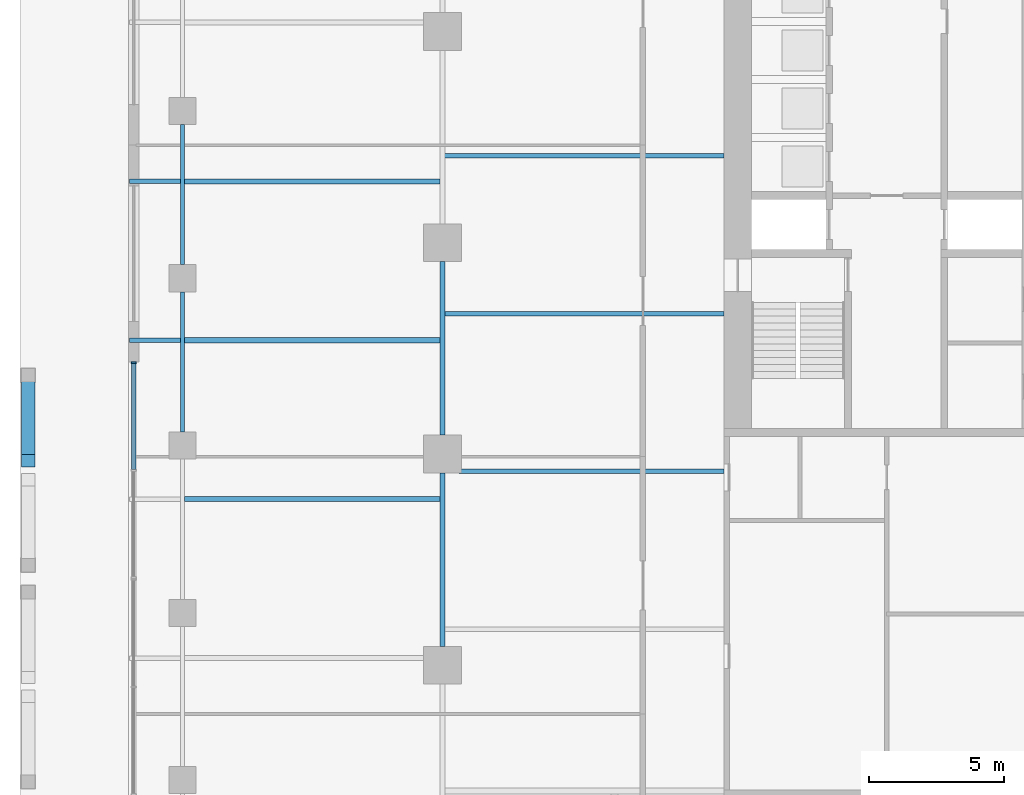
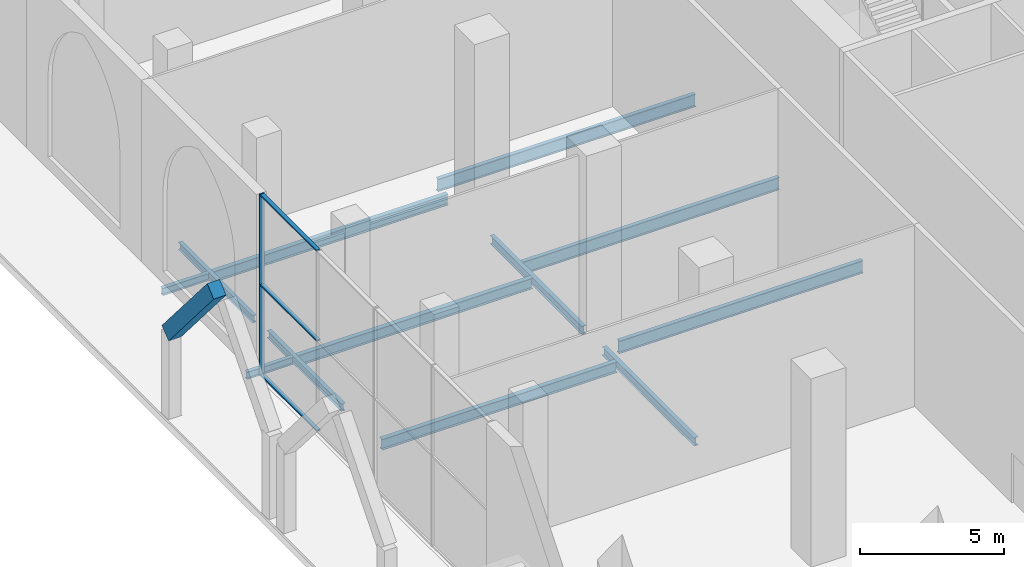
# One storey, part 18 of 38: 12 beams, 5 members, 1 element without a shape of its own.
"""IFC4 building model written with IfcOpenShell, lengths in metres."""

from ifc_helpers import new_model, si_unit, direction, frame, origin, origin_2d, place, context, subcontext, project, spatial, rectangle, i_section, extrude, material, material_profile, profile_set, type_object, element, aggregate, save


model = new_model("IFC4")

# Units and contexts
model_context = context("Model", 3, precision=1e-05, world=origin(), true_north=direction((0.0, 1.0)))
body_context = subcontext(model_context, "Body", "Model", "MODEL_VIEW")
ifc_project = project(units=[si_unit("LENGTHUNIT", "METRE"), si_unit("AREAUNIT", "SQUARE_METRE"), si_unit("VOLUMEUNIT", "CUBIC_METRE"), si_unit("PLANEANGLEUNIT", "RADIAN"), si_unit("MASSUNIT", "GRAM", prefix="KILO")], contexts=[model_context])

# Site, building, storey
site_placement = place(None, origin())
site = spatial("IfcSite", under=ifc_project, at=site_placement, CompositionType="ELEMENT")
building_placement = place(site_placement, origin())
building = spatial("IfcBuilding", under=site, at=building_placement, Name="Ogive Exchange Tower", CompositionType="ELEMENT")
storey_placement = place(building_placement, origin())
storey = spatial("IfcBuildingStorey", under=building, at=storey_placement, Name="L00", CompositionType="ELEMENT", Elevation=0.0)

# Member
ifc_material_1 = material(Name="Concrete C70/85", Category="concrete")
ifc_material_profile_1 = material_profile(ifc_material_1, rectangle(XDim=0.5, YDim=0.60009765625, at=origin_2d()), Name="PC 500x600")
ifc_profile_set_1 = profile_set([ifc_material_profile_1], Name="Concrete C70/85")
member_type_1 = type_object("IfcMemberType", Name="Arch rib 500x600", PredefinedType="USERDEFINED", material=ifc_profile_set_1)
member_1_placement = place(storey_placement, frame((-47.699951171875, -0.5, 3.5), z_axis=(0.0, -0.64925670005, 0.760569350842), x_axis=(1.0, 0.0, 0.0)))
element("IfcMember", 1, at=member_1_placement, inside=storey, type_object=member_type_1, Name="Arch rib", ObjectType="ARCH RIB", PredefinedType="USERDEFINED", context=body_context, shape_type="SweptSolid", body=[
    extrude(rectangle(XDim=0.5, YDim=0.60009765625, at=origin_2d()), origin(), (0.0, 0.0, 1.0), 4.8515625),
])

# Beams
ifc_material_2 = material(Name="Steel ASTM A992 Gr50", Category="steel")
ifc_material_profile_2 = material_profile(ifc_material_2, i_section(OverallWidth=0.1650390625, OverallDepth=0.31005859375, WebThickness=0.005859375, FlangeThickness=0.009765625, at=origin_2d()), Name="W310x38.7")
ifc_profile_set_2 = profile_set([ifc_material_profile_2], Name="Steel ASTM A992 Gr50")
beam_type_1 = type_object("IfcBeamType", Name="Floor beam W310x38.7", PredefinedType="JOIST", material=ifc_profile_set_2)
for number, where, z_axis, x_axis, name in (
    (2, (-43.949951171875, 0.800048828125, -0.455078125), (1.0, 0.0, 0.0), (0.0, 1.0, 0.0), "Floor beam"),
    (3, (-43.949951171875, 6.666748046875, -0.455078125), (1.0, 0.0, 0.0), (0.0, 1.0, 0.0), "Floor beam"),
):
    element("IfcBeam", number, at=place(storey_placement, frame(where, z_axis=z_axis, x_axis=x_axis)), inside=storey, type_object=beam_type_1, Name=name, PredefinedType="JOIST", context=body_context, shape_type="SweptSolid", body=[
        extrude(i_section(OverallWidth=0.1650390625, OverallDepth=0.31005859375, WebThickness=0.005859375, FlangeThickness=0.009765625, at=origin_2d()), origin(), (0.0, 0.0, 1.0), 1.867431640625),
    ])
ifc_material_profile_3 = material_profile(ifc_material_2, i_section(OverallWidth=0.19091796875, OverallDepth=0.45703125, WebThickness=0.009033203125, FlangeThickness=0.014404296875, at=origin_2d()), Name="W460x74")
ifc_profile_set_3 = profile_set([ifc_material_profile_3], Name="Steel ASTM A992 Gr50")
beam_type_2 = type_object("IfcBeamType", Name="Floor beam W460x74", PredefinedType="JOIST", material=ifc_profile_set_3)
for number, where, z_axis, x_axis, name in (
    (4, (-41.91748046875, -5.066650390625, -0.528564453125), (1.0, 0.0, 0.0), (0.0, 1.0, 0.0), "Floor beam"),
    (5, (-41.91748046875, 0.800048828125, -0.528564453125), (1.0, 0.0, 0.0), (0.0, 1.0, 0.0), "Floor beam"),
    (6, (-41.91748046875, 6.666748046875, -0.528564453125), (1.0, 0.0, 0.0), (0.0, 1.0, 0.0), "Floor beam"),
):
    element("IfcBeam", number, at=place(storey_placement, frame(where, z_axis=z_axis, x_axis=x_axis)), inside=storey, type_object=beam_type_2, Name=name, PredefinedType="JOIST", context=body_context, shape_type="SweptSolid", body=[
        extrude(i_section(OverallWidth=0.19091796875, OverallDepth=0.45703125, WebThickness=0.009033203125, FlangeThickness=0.014404296875, at=origin_2d()), origin(), (0.0, 0.0, 1.0), 9.431884765625),
    ])
ifc_material_profile_4 = material_profile(ifc_material_2, i_section(OverallWidth=0.1669921875, OverallDepth=0.535888671875, WebThickness=0.01025390625, FlangeThickness=0.0166015625, at=origin_2d()), Name="W530x85")
ifc_profile_set_4 = profile_set([ifc_material_profile_4], Name="Steel ASTM A992 Gr50")
beam_type_3 = type_object("IfcBeamType", Name="Floor beam W530x85", PredefinedType="JOIST", material=ifc_profile_set_4)
beam_1_placement = place(storey_placement, frame((-31.800048828125, -4.03857421875, -0.568115234375), z_axis=(1.0, 0.0, 0.0), x_axis=(0.0, 1.0, 0.0)))
element("IfcBeam", 7, at=beam_1_placement, inside=storey, type_object=beam_type_3, Name="Floor beam", PredefinedType="JOIST", context=body_context, shape_type="SweptSolid", body=[
    extrude(i_section(OverallWidth=0.1669921875, OverallDepth=0.535888671875, WebThickness=0.01025390625, FlangeThickness=0.0166015625, at=origin_2d()), origin(), (0.0, 0.0, 1.0), 9.800048828125),
])
for number, where, z_axis, x_axis, name in (
    (8, (-32.344970703125, 1.787109375, -0.568115234375), (1.0, 0.0, 0.0), (0.0, 1.0, 0.0), "Floor beam"),
    (9, (-32.344970703125, 7.61279296875, -0.568115234375), (1.0, 0.0, 0.0), (0.0, 1.0, 0.0), "Floor beam"),
):
    element("IfcBeam", number, at=place(storey_placement, frame(where, z_axis=z_axis, x_axis=x_axis)), inside=storey, type_object=beam_type_3, Name=name, PredefinedType="JOIST", context=body_context, shape_type="SweptSolid", body=[
        extrude(i_section(OverallWidth=0.1669921875, OverallDepth=0.535888671875, WebThickness=0.01025390625, FlangeThickness=0.0166015625, at=origin_2d()), origin(), (0.0, 0.0, 1.0), 10.344970703125),
    ])
ifc_material_profile_5 = material_profile(ifc_material_2, i_section(OverallWidth=0.1650390625, OverallDepth=0.31005859375, WebThickness=0.005859375, FlangeThickness=0.009765625, at=origin_2d()), Name="W310x38.7")
ifc_profile_set_5 = profile_set([ifc_material_profile_5], Name="Steel ASTM A992 Gr50")
beam_type_4 = type_object("IfcBeamType", Name="Girder W310x38.7", PredefinedType="BEAM", material=ifc_profile_set_5)
beam_2_placement = place(storey_placement, frame((-42.0, -2.590087890625, -0.455078125), z_axis=(0.0, 1.0, 0.0), x_axis=(-1.0, 0.0, 0.0)))
element("IfcBeam", 10, at=beam_2_placement, inside=storey, type_object=beam_type_4, Name="Girder", PredefinedType="BEAM", context=body_context, shape_type="SweptSolid", body=[
    extrude(i_section(OverallWidth=0.1650390625, OverallDepth=0.31005859375, WebThickness=0.005859375, FlangeThickness=0.009765625, at=origin_2d()), origin(), (0.0, 0.0, 1.0), 5.18017578125),
])
beam_3_placement = place(storey_placement, frame((-42.0, 3.590087890625, -0.455078125), z_axis=(0.0, 1.0, 0.0), x_axis=(-1.0, 0.0, 0.0)))
element("IfcBeam", 11, at=beam_3_placement, inside=storey, type_object=beam_type_4, Name="Girder", PredefinedType="BEAM", context=body_context, shape_type="SweptSolid", body=[
    extrude(i_section(OverallWidth=0.1650390625, OverallDepth=0.31005859375, WebThickness=0.005859375, FlangeThickness=0.009765625, at=origin_2d()), origin(), (0.0, 0.0, 1.0), 5.179931640625),
])
ifc_material_profile_6 = material_profile(ifc_material_2, i_section(OverallWidth=0.1708984375, OverallDepth=0.35595703125, WebThickness=0.00732421875, FlangeThickness=0.01171875, at=origin_2d()), Name="W360x51")
ifc_profile_set_6 = profile_set([ifc_material_profile_6], Name="Steel ASTM A992 Gr50")
beam_type_5 = type_object("IfcBeamType", Name="Girder W360x51", PredefinedType="BEAM", material=ifc_profile_set_6)
for number, where, z_axis, x_axis, name in (
    (12, (-32.39990234375, 3.699951171875, -0.47802734375), (0.0, -1.0, 0.0), (1.0, 0.0, 0.0), "Girder"),
    (13, (-32.39990234375, -4.10009765625, -0.47802734375), (0.0, -1.0, 0.0), (1.0, 0.0, 0.0), "Girder"),
):
    element("IfcBeam", number, at=place(storey_placement, frame(where, z_axis=z_axis, x_axis=x_axis)), inside=storey, type_object=beam_type_5, Name=name, PredefinedType="BEAM", context=body_context, shape_type="SweptSolid", body=[
        extrude(i_section(OverallWidth=0.1708984375, OverallDepth=0.35595703125, WebThickness=0.00732421875, FlangeThickness=0.01171875, at=origin_2d()), origin(), (0.0, 0.0, 1.0), 6.39990234375),
    ])

# Curtain wall, members
ifc_material_3 = material(Name="Anodised aluminium and clear glass", Category="aluminium")
curtain_wall_type = type_object("IfcCurtainWallType", Name="Podium arcade glazing", PredefinedType="NOTDEFINED", material=ifc_material_3)
curtain_wall_placement = place(storey_placement, origin())
curtain_wall = element("IfcCurtainWall", 14, at=curtain_wall_placement, inside=storey, type_object=curtain_wall_type, Name="Podium arcade glazing run AG48", PredefinedType="NOTDEFINED")
ifc_material_4 = material(Name="Anodised aluminium", Category="aluminium")
ifc_material_profile_7 = material_profile(ifc_material_4, rectangle(XDim=0.199951171875, YDim=0.06005859375, at=origin_2d()), Name="AL 60x200")
ifc_profile_set_7 = profile_set([ifc_material_profile_7], Name="Anodised aluminium")
member_type_2 = type_object("IfcMemberType", Name="Podium arcade glazing mullion 60 x 200", PredefinedType="MULLION", material=ifc_profile_set_7)
member_2_placement = place(storey_placement, frame((-43.800048828125, -0.030029296875, 0.0), z_axis=(0.0, 0.0, 1.0), x_axis=(1.0, 0.0, 0.0)))
member_2 = element("IfcMember", 15, at=member_2_placement, type_object=member_type_2, Name="AG48 mullion 1", PredefinedType="MULLION", context=body_context, shape_type="SweptSolid", body=[
    extrude(rectangle(XDim=0.199951171875, YDim=0.06005859375, at=origin_2d()), origin(), (0.0, 0.0, 1.0), 7.699951171875),
])
ifc_material_profile_8 = material_profile(ifc_material_4, rectangle(XDim=0.159912109375, YDim=0.06005859375, at=origin_2d()), Name="AL 60x160")
ifc_profile_set_8 = profile_set([ifc_material_profile_8], Name="Anodised aluminium")
member_type_3 = type_object("IfcMemberType", Name="Podium arcade glazing transom 60 x 160", PredefinedType="USERDEFINED", material=ifc_profile_set_8)
member_3_placement = place(storey_placement, frame((-43.800048828125, -0.06005859375, 0.030029296875), z_axis=(0.0, -1.0, 0.0), x_axis=(1.0, 0.0, 0.0)))
member_3 = element("IfcMember", 16, at=member_3_placement, type_object=member_type_3, Name="AG48 transom 1.1", ObjectType="TRANSOM", PredefinedType="USERDEFINED", context=body_context, shape_type="SweptSolid", body=[
    extrude(rectangle(XDim=0.159912109375, YDim=0.06005859375, at=origin_2d()), origin(), (0.0, 0.0, 1.0), 3.909912109375),
])
member_4_placement = place(storey_placement, frame((-43.800048828125, -0.06005859375, 3.85009765625), z_axis=(0.0, -1.0, 0.0), x_axis=(1.0, 0.0, 0.0)))
member_4 = element("IfcMember", 17, at=member_4_placement, type_object=member_type_3, Name="AG48 transom 1.2", ObjectType="TRANSOM", PredefinedType="USERDEFINED", context=body_context, shape_type="SweptSolid", body=[
    extrude(rectangle(XDim=0.159912109375, YDim=0.06005859375, at=origin_2d()), origin(), (0.0, 0.0, 1.0), 3.909912109375),
])
member_5_placement = place(storey_placement, frame((-43.800048828125, -0.06005859375, 7.669921875), z_axis=(0.0, -1.0, 0.0), x_axis=(1.0, 0.0, 0.0)))
member_5 = element("IfcMember", 18, at=member_5_placement, type_object=member_type_3, Name="AG48 transom 1.3", ObjectType="TRANSOM", PredefinedType="USERDEFINED", context=body_context, shape_type="SweptSolid", body=[
    extrude(rectangle(XDim=0.159912109375, YDim=0.06005859375, at=origin_2d()), origin(), (0.0, 0.0, 1.0), 3.909912109375),
])
aggregate(curtain_wall, [member_2, member_3, member_4, member_5])

save(model, "model.ifc")
